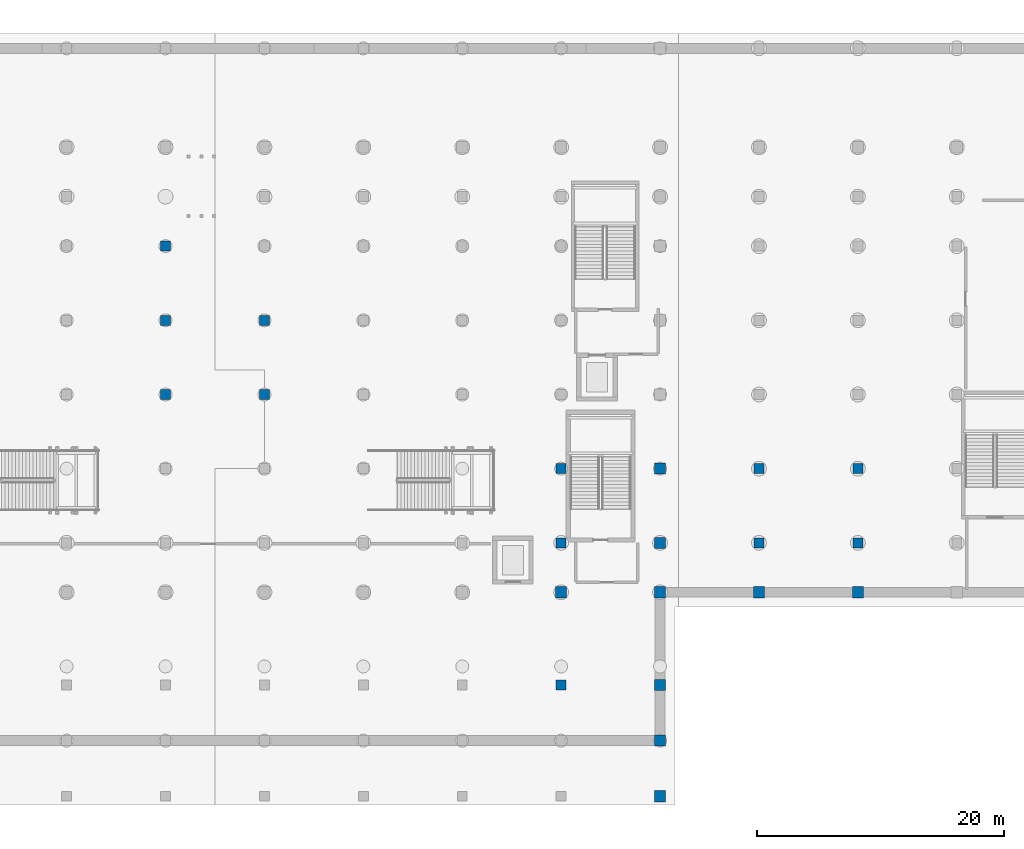
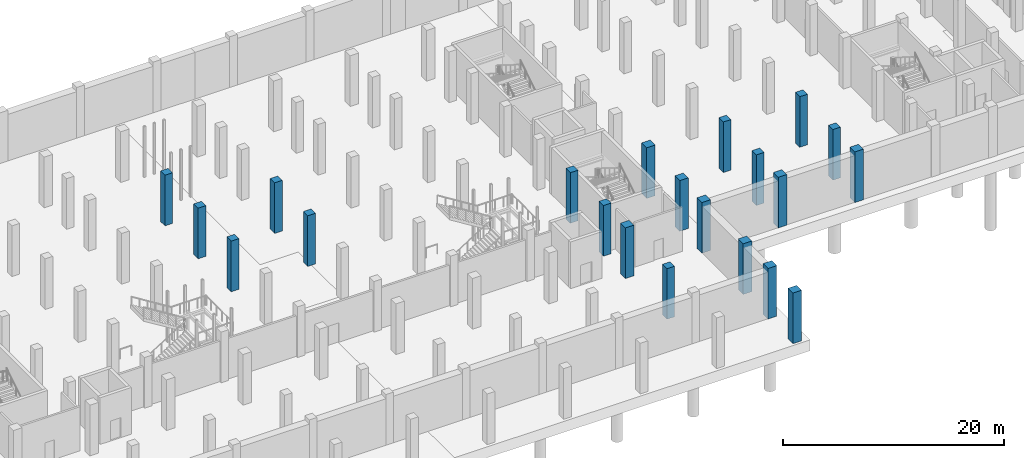
# One storey, part 6 of 26: 21 columns.
"""IFC4 building model written with IfcOpenShell, lengths in metres."""

from ifc_helpers import new_model, si_unit, direction, frame, origin, origin_2d, place, context, subcontext, project, spatial, rectangle, extrude, material, material_profile, profile_set, type_object, element, save


model = new_model("IFC4")

# Units and contexts
model_context = context("Model", 3, precision=1e-05, world=origin(), true_north=direction((0.0, 1.0)))
body_context = subcontext(model_context, "Body", "Model", "MODEL_VIEW")
ifc_project = project(units=[si_unit("LENGTHUNIT", "METRE"), si_unit("AREAUNIT", "SQUARE_METRE"), si_unit("VOLUMEUNIT", "CUBIC_METRE"), si_unit("PLANEANGLEUNIT", "RADIAN"), si_unit("MASSUNIT", "GRAM", prefix="KILO")], contexts=[model_context])

# Site, building, storey
site_placement = place(None, origin())
site = spatial("IfcSite", under=ifc_project, at=site_placement, CompositionType="ELEMENT")
building_placement = place(site_placement, origin())
building = spatial("IfcBuilding", under=site, at=building_placement, Name="Verrall Gate Interchange", CompositionType="ELEMENT")
storey_placement = place(building_placement, frame((0.0, 0.0, -10.39990234375)))
storey = spatial("IfcBuildingStorey", under=building, at=storey_placement, Name="B2", CompositionType="ELEMENT", Elevation=-10.39990234375)

# Columns
ifc_material_1 = material(Name="Concrete CSA A23.1 40 MPa (Class N)", Category="concrete")
ifc_material_profile_1 = material_profile(ifc_material_1, rectangle(XDim=0.89990234375, YDim=0.89990234375, at=origin_2d()), Name="RC900x900")
ifc_profile_set_1 = profile_set([ifc_material_profile_1], Name="Concrete CSA A23.1 40 MPa (Class N)")
column_type_1 = type_object("IfcColumnType", Name="C-01 Column RC900x900", PredefinedType="COLUMN", material=ifc_profile_set_1)
for number, where, z_axis, x_axis, name in (
    (1, (100.0, 12.0, 0.0), (0.0, 0.0, 1.0), (1.0, 0.0, 0.0), "B2 Column COL-B2-1092 (C-01)"),
    (2, (108.0, -4.5, 0.0), (0.0, 0.0, 1.0), (1.0, 0.0, 0.0), "B2 Column COL-B2-1120 (C-01)"),
    (3, (108.0, 0.0, 0.0), (0.0, 0.0, 1.0), (1.0, 0.0, 0.0), "B2 Column COL-B2-1122 (C-01)"),
    (4, (108.0, 4.5, 0.0), (0.0, 0.0, 1.0), (1.0, 0.0, 0.0), "B2 Column COL-B2-1126 (C-01)"),
    (5, (108.0, 12.0, 0.0), (0.0, 0.0, 1.0), (1.0, 0.0, 0.0), "B2 Column COL-B2-1130 (C-01)"),
    (6, (108.0, 16.0, 0.0), (0.0, 0.0, 1.0), (1.0, 0.0, 0.0), "B2 Column COL-B2-1134 (C-01)"),
    (7, (108.0, 22.0, 0.0), (0.0, 0.0, 1.0), (1.0, 0.0, 0.0), "B2 Column COL-B2-1138 (C-01)"),
    (8, (116.0, 12.0, 0.0), (0.0, 0.0, 1.0), (1.0, 0.0, 0.0), "B2 Column COL-B2-1166 (C-01)"),
    (9, (124.0, 12.0, 0.0), (0.0, 0.0, 1.0), (1.0, 0.0, 0.0), "B2 Column COL-B2-1188 (C-01)"),
):
    element("IfcColumn", number, at=place(storey_placement, frame(where, z_axis=z_axis, x_axis=x_axis)), inside=storey, type_object=column_type_1, Name=name, PredefinedType="COLUMN", context=body_context, shape_type="SweptSolid", body=[
        extrude(rectangle(XDim=0.89990234375, YDim=0.89990234375, at=origin_2d()), origin(), (0.0, 0.0, 1.0), 5.599853515625),
    ])
ifc_material_2 = material(Name="Concrete CSA A23.1 40 MPa (Class N)", Category="concrete")
ifc_material_profile_2 = material_profile(ifc_material_2, rectangle(XDim=0.800048828125, YDim=0.800048828125, at=origin_2d()), Name="RC800x800")
ifc_profile_set_2 = profile_set([ifc_material_profile_2], Name="Concrete CSA A23.1 40 MPa (Class N)")
column_type_2 = type_object("IfcColumnType", Name="C-02 Column RC800x800", PredefinedType="COLUMN", material=ifc_profile_set_2)
for number, where, z_axis, x_axis, name in (
    (10, (68.0, 28.0, 0.0), (0.0, 0.0, 1.0), (1.0, 0.0, 0.0), "B2 Column COL-B2-0956 (C-02)"),
    (11, (68.0, 34.0, 0.0), (0.0, 0.0, 1.0), (1.0, 0.0, 0.0), "B2 Column COL-B2-0958 (C-02)"),
    (12, (68.0, 40.0, 0.0), (0.0, 0.0, 1.0), (1.0, 0.0, 0.0), "B2 Column COL-B2-0960 (C-02)"),
    (13, (76.0, 28.0, 0.0), (0.0, 0.0, 1.0), (1.0, 0.0, 0.0), "B2 Column COL-B2-0990 (C-02)"),
    (14, (76.0, 34.0, 0.0), (0.0, 0.0, 1.0), (1.0, 0.0, 0.0), "B2 Column COL-B2-0992 (C-02)"),
    (15, (100.0, 4.5, 0.0), (0.0, 0.0, 1.0), (1.0, 0.0, 0.0), "B2 Column COL-B2-1088 (C-02)"),
    (16, (100.0, 16.0, 0.0), (0.0, 0.0, 1.0), (1.0, 0.0, 0.0), "B2 Column COL-B2-1096 (C-02)"),
    (17, (100.0, 22.0, 0.0), (0.0, 0.0, 1.0), (1.0, 0.0, 0.0), "B2 Column COL-B2-1100 (C-02)"),
    (18, (116.0, 16.0, 0.0), (0.0, 0.0, 1.0), (1.0, 0.0, 0.0), "B2 Column COL-B2-1168 (C-02)"),
    (19, (116.0, 22.0, 0.0), (0.0, 0.0, 1.0), (1.0, 0.0, 0.0), "B2 Column COL-B2-1170 (C-02)"),
    (20, (124.0, 16.0, 0.0), (0.0, 0.0, 1.0), (1.0, 0.0, 0.0), "B2 Column COL-B2-1190 (C-02)"),
    (21, (124.0, 22.0, 0.0), (0.0, 0.0, 1.0), (1.0, 0.0, 0.0), "B2 Column COL-B2-1192 (C-02)"),
):
    element("IfcColumn", number, at=place(storey_placement, frame(where, z_axis=z_axis, x_axis=x_axis)), inside=storey, type_object=column_type_2, Name=name, PredefinedType="COLUMN", context=body_context, shape_type="SweptSolid", body=[
        extrude(rectangle(XDim=0.800048828125, YDim=0.800048828125, at=origin_2d()), origin(), (0.0, 0.0, 1.0), 5.599853515625),
    ])

save(model, "model.ifc")
